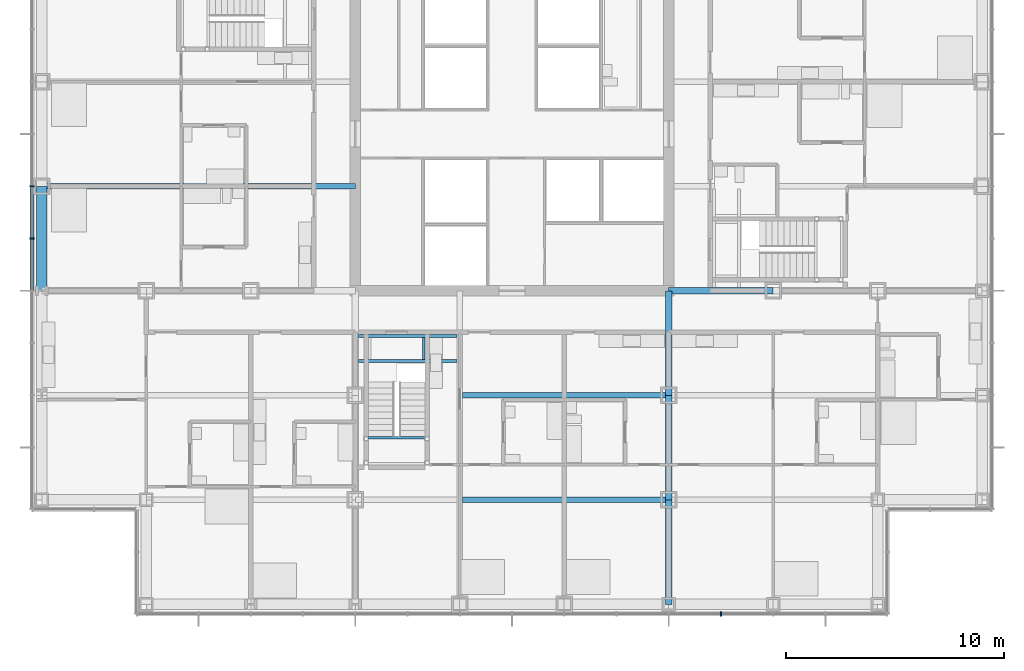
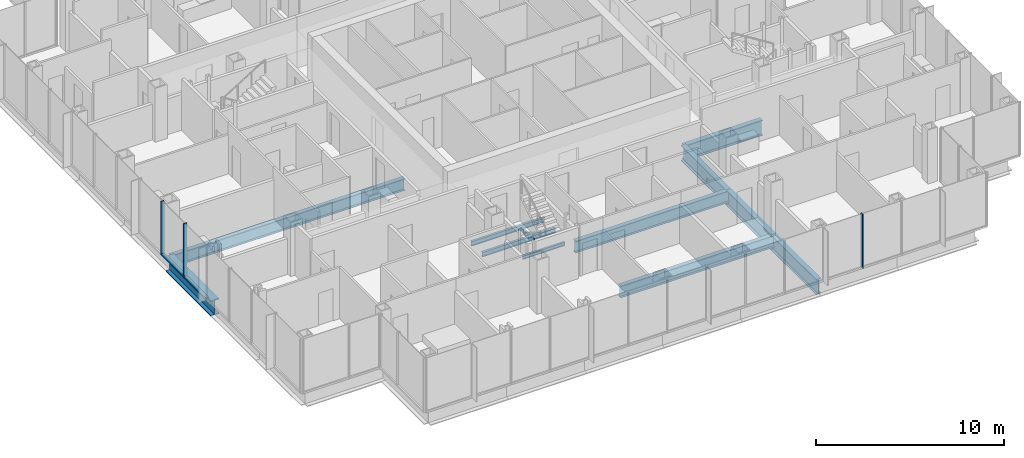
# One storey, part 7 of 21: 12 beams, 5 members, 2 elements without a shape of their own.
"""IFC4 building model written with IfcOpenShell, lengths in metres."""

from ifc_helpers import new_model, si_unit, direction, frame, origin, origin_2d, place, context, subcontext, project, spatial, rectangle, i_section, extrude, material, material_profile, profile_set, type_object, element, aggregate, save


model = new_model("IFC4")

# Units and contexts
model_context = context("Model", 3, precision=1e-05, world=origin(), true_north=direction((0.0, 1.0)))
body_context = subcontext(model_context, "Body", "Model", "MODEL_VIEW")
ifc_project = project(units=[si_unit("LENGTHUNIT", "METRE"), si_unit("AREAUNIT", "SQUARE_METRE"), si_unit("VOLUMEUNIT", "CUBIC_METRE"), si_unit("PLANEANGLEUNIT", "RADIAN"), si_unit("MASSUNIT", "GRAM", prefix="KILO")], contexts=[model_context])

# Site, building, storey
site_placement = place(None, origin())
site = spatial("IfcSite", under=ifc_project, at=site_placement, CompositionType="ELEMENT")
building_placement = place(site_placement, origin())
building = spatial("IfcBuilding", under=site, at=building_placement, Name="Kvirike Care Tower", CompositionType="ELEMENT")
storey_placement = place(building_placement, frame((0.0, 0.0, 27.0)))
storey = spatial("IfcBuildingStorey", under=building, at=storey_placement, Name="L06", CompositionType="ELEMENT", Elevation=27.0)

# Curtain wall, members
ifc_material_1 = material(Name="Anodised aluminium stick system", Category="aluminium")
curtain_wall_type = type_object("IfcCurtainWallType", Name="CW-A STICK CURTAIN WALL", PredefinedType="NOTDEFINED", material=ifc_material_1)
curtain_wall_1_placement = place(storey_placement, origin())
curtain_wall_1 = element("IfcCurtainWall", 1, at=curtain_wall_1_placement, inside=storey, type_object=curtain_wall_type, Name="Curtain wall L06 face 1", PredefinedType="NOTDEFINED")
ifc_material_2 = material(Name="Bronze anodised aluminium mullion", Category="aluminium")
ifc_material_profile_1 = material_profile(ifc_material_2, rectangle(XDim=0.06494140625, YDim=0.199951171875, at=origin_2d()), Name="CW-A MULLION 65x200")
ifc_profile_set_1 = profile_set([ifc_material_profile_1], Name="Bronze anodised aluminium mullion")
member_type_1 = type_object("IfcMemberType", Name="CW-A MULLION 65x200", PredefinedType="MULLION", material=ifc_profile_set_1)
member_1_placement = place(storey_placement, frame((-0.449951171875, 33.60009765625, 0.0), z_axis=(0.0, 0.0, 1.0), x_axis=(0.0, -1.0, 0.0)))
member_1 = element("IfcMember", 2, at=member_1_placement, type_object=member_type_1, Name="CW-A mullion L06 face 1.9", PredefinedType="MULLION", context=body_context, shape_type="SweptSolid", body=[
    extrude(rectangle(XDim=0.06494140625, YDim=0.199951171875, at=origin_2d()), origin(), (0.0, 0.0, 1.0), 3.5),
])
member_2_placement = place(storey_placement, frame((-0.449951171875, 31.199951171875, 0.0), z_axis=(0.0, 0.0, 1.0), x_axis=(0.0, -1.0, 0.0)))
member_2 = element("IfcMember", 3, at=member_2_placement, type_object=member_type_1, Name="CW-A mullion L06 face 1.10", PredefinedType="MULLION", context=body_context, shape_type="SweptSolid", body=[
    extrude(rectangle(XDim=0.06494140625, YDim=0.199951171875, at=origin_2d()), origin(), (0.0, 0.0, 1.0), 3.5),
])

# Curtain wall, member
curtain_wall_2_placement = place(storey_placement, origin())
curtain_wall_2 = element("IfcCurtainWall", 4, at=curtain_wall_2_placement, inside=storey, type_object=curtain_wall_type, Name="Curtain wall L06 face 4", PredefinedType="NOTDEFINED")
member_3_placement = place(storey_placement, frame((31.199951171875, 13.949951171875, 0.0), z_axis=(0.0, 0.0, 1.0), x_axis=(1.0, 0.0, 0.0)))
member_3 = element("IfcMember", 5, at=member_3_placement, type_object=member_type_1, Name="CW-A mullion L06 face 4.12", PredefinedType="MULLION", context=body_context, shape_type="SweptSolid", body=[
    extrude(rectangle(XDim=0.06494140625, YDim=0.199951171875, at=origin_2d()), origin(), (0.0, 0.0, 1.0), 3.5),
])
aggregate(curtain_wall_2, [member_3])

# Member
ifc_material_3 = material(Name="Bronze anodised aluminium transom", Category="aluminium")
ifc_material_profile_2 = material_profile(ifc_material_3, rectangle(XDim=0.199951171875, YDim=0.10009765625, at=origin_2d()), Name="CW-A TRANSOM 200x100")
ifc_profile_set_2 = profile_set([ifc_material_profile_2], Name="Bronze anodised aluminium transom")
member_type_2 = type_object("IfcMemberType", Name="CW-A TRANSOM 200x100", PredefinedType="USERDEFINED", material=ifc_profile_set_2)
member_4_placement = place(storey_placement, frame((-0.449951171875, 33.5673828125, 0.050048828125), z_axis=(0.0, -1.0, 0.0), x_axis=(1.0, 0.0, 0.0)))
member_4 = element("IfcMember", 6, at=member_4_placement, type_object=member_type_2, Name="CW-A sill transom L06 face 1.9", ObjectType="TRANSOM", PredefinedType="USERDEFINED", context=body_context, shape_type="SweptSolid", body=[
    extrude(rectangle(XDim=0.199951171875, YDim=0.10009765625, at=origin_2d()), origin(), (0.0, 0.0, 1.0), 2.3349609375),
])

member_5_placement = place(storey_placement, frame((-0.449951171875, 31.16748046875, 0.050048828125), z_axis=(0.0, -1.0, 0.0), x_axis=(1.0, 0.0, 0.0)))
member_5 = element("IfcMember", 7, at=member_5_placement, type_object=member_type_2, Name="CW-A sill transom L06 face 1.10", ObjectType="TRANSOM", PredefinedType="USERDEFINED", context=body_context, shape_type="SweptSolid", body=[
    extrude(rectangle(XDim=0.199951171875, YDim=0.10009765625, at=origin_2d()), origin(), (0.0, 0.0, 1.0), 2.3349609375),
])

aggregate(curtain_wall_1, [member_1, member_2, member_4, member_5])

# Beams
ifc_material_4 = material(Name="Steel S355", Category="steel")
ifc_material_profile_3 = material_profile(ifc_material_4, i_section(OverallWidth=0.26806640625, OverallDepth=0.77001953125, WebThickness=0.015625, FlangeThickness=0.025390625, FilletRadius=0.01708984375, at=origin_2d()), Name="IPE 750x196")
ifc_profile_set_3 = profile_set([ifc_material_profile_3], Name="Steel S355")
beam_type_1 = type_object("IfcBeamType", Name="FLOOR BEAM IPE 750x196", PredefinedType="BEAM", material=ifc_profile_set_3)
for number, where, z_axis, x_axis, name in (
    (8, (19.333984375, 19.199951171875, -0.554931640625), (1.0, 0.0, 0.0), (0.0, 1.0, 0.0), "Floor Beam E7-E9 L06"),
    (9, (19.333984375, 24.0, -0.554931640625), (1.0, 0.0, 0.0), (0.0, 1.0, 0.0), "Floor Beam F7-F9 L06"),
):
    element("IfcBeam", number, at=place(storey_placement, frame(where, z_axis=z_axis, x_axis=x_axis)), inside=storey, type_object=beam_type_1, Name=name, PredefinedType="BEAM", context=body_context, shape_type="SweptSolid", body=[
        extrude(i_section(OverallWidth=0.26806640625, OverallDepth=0.77001953125, WebThickness=0.015625, FlangeThickness=0.025390625, FilletRadius=0.01708984375, at=origin_2d()), origin(), (0.0, 0.0, 1.0), 9.466064453125),
    ])
beam_1_placement = place(storey_placement, frame((0.0, 33.60009765625, -0.554931640625), z_axis=(1.0, 0.0, 0.0), x_axis=(0.0, 1.0, 0.0)))
element("IfcBeam", 10, at=beam_1_placement, inside=storey, type_object=beam_type_1, Name="Floor Beam H3-H6 L06", PredefinedType="BEAM", context=body_context, shape_type="SweptSolid", body=[
    extrude(i_section(OverallWidth=0.26806640625, OverallDepth=0.77001953125, WebThickness=0.015625, FlangeThickness=0.025390625, FilletRadius=0.01708984375, at=origin_2d()), origin(), (0.0, 0.0, 1.0), 14.39990234375),
])
ifc_material_5 = material(Name="Steel S355", Category="steel")
ifc_material_profile_4 = material_profile(ifc_material_5, i_section(OverallWidth=0.300048828125, OverallDepth=1.0, WebThickness=0.01904296875, FlangeThickness=0.035888671875, FilletRadius=0.030029296875, at=origin_2d()), Name="HE 1000 B")
ifc_profile_set_4 = profile_set([ifc_material_profile_4], Name="Steel S355")
beam_type_2 = type_object("IfcBeamType", Name="FRAME BEAM HE 1000 B", PredefinedType="BEAM", material=ifc_profile_set_4)
for number, where, z_axis, x_axis, name in (
    (11, (28.800048828125, 28.800048828125, -0.669921875), (1.0, 0.0, 0.0), (0.0, 1.0, 0.0), "Frame Beam G9-G10 L06"),
    (12, (28.800048828125, 14.39990234375, -0.669921875), (0.0, 1.0, 0.0), (-1.0, 0.0, 0.0), "Frame Beam D9-E9 L06"),
    (13, (28.800048828125, 19.199951171875, -0.669921875), (0.0, 1.0, 0.0), (-1.0, 0.0, 0.0), "Frame Beam E9-F9 L06"),
    (14, (28.800048828125, 24.0, -0.669921875), (0.0, 1.0, 0.0), (-1.0, 0.0, 0.0), "Frame Beam F9-G9 L06"),
):
    element("IfcBeam", number, at=place(storey_placement, frame(where, z_axis=z_axis, x_axis=x_axis)), inside=storey, type_object=beam_type_2, Name=name, PredefinedType="BEAM", context=body_context, shape_type="SweptSolid", body=[
        extrude(i_section(OverallWidth=0.300048828125, OverallDepth=1.0, WebThickness=0.01904296875, FlangeThickness=0.035888671875, FilletRadius=0.030029296875, at=origin_2d()), origin(), (0.0, 0.0, 1.0), 4.800048828125),
    ])
ifc_material_6 = material(Name="Steel S355", Category="steel")
ifc_material_profile_5 = material_profile(ifc_material_6, i_section(OverallWidth=0.5, OverallDepth=1.0, WebThickness=0.030029296875, FlangeThickness=0.06005859375, at=origin_2d()), Name="PG 1000x500x30x60")
ifc_profile_set_5 = profile_set([ifc_material_profile_5], Name="Steel S355")
beam_type_3 = type_object("IfcBeamType", Name="SPANDREL PG 1000x500x30x60", PredefinedType="SPANDREL", material=ifc_profile_set_5)
beam_2_placement = place(storey_placement, frame((0.0, 28.800048828125, -0.669921875), z_axis=(0.0, 1.0, 0.0), x_axis=(-1.0, 0.0, 0.0)))
element("IfcBeam", 15, at=beam_2_placement, inside=storey, type_object=beam_type_3, Name="Spandrel G3-H3 L06", PredefinedType="SPANDREL", context=body_context, shape_type="SweptSolid", body=[
    extrude(i_section(OverallWidth=0.5, OverallDepth=1.0, WebThickness=0.030029296875, FlangeThickness=0.06005859375, at=origin_2d()), origin(), (0.0, 0.0, 1.0), 4.800048828125),
])
ifc_material_7 = material(Name="Steel S355", Category="steel")
ifc_material_profile_6 = material_profile(ifc_material_7, i_section(OverallWidth=0.1201171875, OverallDepth=0.239990234375, WebThickness=0.006103515625, FlangeThickness=0.009765625, FilletRadius=0.014892578125, at=origin_2d()), Name="IPE 240")
ifc_profile_set_6 = profile_set([ifc_material_profile_6], Name="Steel S355")
beam_type_4 = type_object("IfcBeamType", Name="STAIR LANDING BEAM IPE 240", PredefinedType="BEAM", material=ifc_profile_set_6)
beam_3_placement = place(storey_placement, frame((15.0, 22.0400390625, 1.429931640625), z_axis=(1.0, 0.0, 0.0), x_axis=(0.0, 1.0, 0.0)))
element("IfcBeam", 16, at=beam_3_placement, inside=storey, type_object=beam_type_4, Name="Stair 5 landing beam front L06", PredefinedType="BEAM", context=body_context, shape_type="SweptSolid", body=[
    extrude(i_section(OverallWidth=0.1201171875, OverallDepth=0.239990234375, WebThickness=0.006103515625, FlangeThickness=0.009765625, FilletRadius=0.014892578125, at=origin_2d()), origin(), (0.0, 0.0, 1.0), 2.60009765625),
])
beam_4_placement = place(storey_placement, frame((17.5400390625, 25.64990234375, -0.320068359375), z_axis=(0.0, 1.0, 0.0), x_axis=(-1.0, 0.0, 0.0)))
element("IfcBeam", 17, at=beam_4_placement, inside=storey, type_object=beam_type_4, Name="Stair 5 landing edge beam 2 L06", PredefinedType="BEAM", context=body_context, shape_type="SweptSolid", body=[
    extrude(i_section(OverallWidth=0.1201171875, OverallDepth=0.239990234375, WebThickness=0.006103515625, FlangeThickness=0.009765625, FilletRadius=0.014892578125, at=origin_2d()), origin(), (0.0, 0.0, 1.0), 1.0),
])
ifc_material_8 = material(Name="Steel S355", Category="steel")
ifc_material_profile_7 = material_profile(ifc_material_8, i_section(OverallWidth=0.14990234375, OverallDepth=0.300048828125, WebThickness=0.007080078125, FlangeThickness=0.0107421875, FilletRadius=0.014892578125, at=origin_2d()), Name="IPE 300")
ifc_profile_set_7 = profile_set([ifc_material_profile_7], Name="Steel S355")
beam_type_5 = type_object("IfcBeamType", Name="STAIR TRIMMER IPE 300", PredefinedType="BEAM", material=ifc_profile_set_7)
for number, where, z_axis, x_axis, name in (
    (18, (14.550048828125, 25.574951171875, -0.35009765625), (1.0, 0.0, 0.0), (0.0, 1.0, 0.0), "Stair 5 trimmer 1 L06"),
    (19, (14.550048828125, 26.72509765625, -0.35009765625), (1.0, 0.0, 0.0), (0.0, 1.0, 0.0), "Stair 5 trimmer 2 L06"),
):
    element("IfcBeam", number, at=place(storey_placement, frame(where, z_axis=z_axis, x_axis=x_axis)), inside=storey, type_object=beam_type_5, Name=name, PredefinedType="BEAM", context=body_context, shape_type="SweptSolid", body=[
        extrude(i_section(OverallWidth=0.14990234375, OverallDepth=0.300048828125, WebThickness=0.007080078125, FlangeThickness=0.0107421875, FilletRadius=0.014892578125, at=origin_2d()), origin(), (0.0, 0.0, 1.0), 4.515869140625),
    ])

save(model, "model.ifc")
